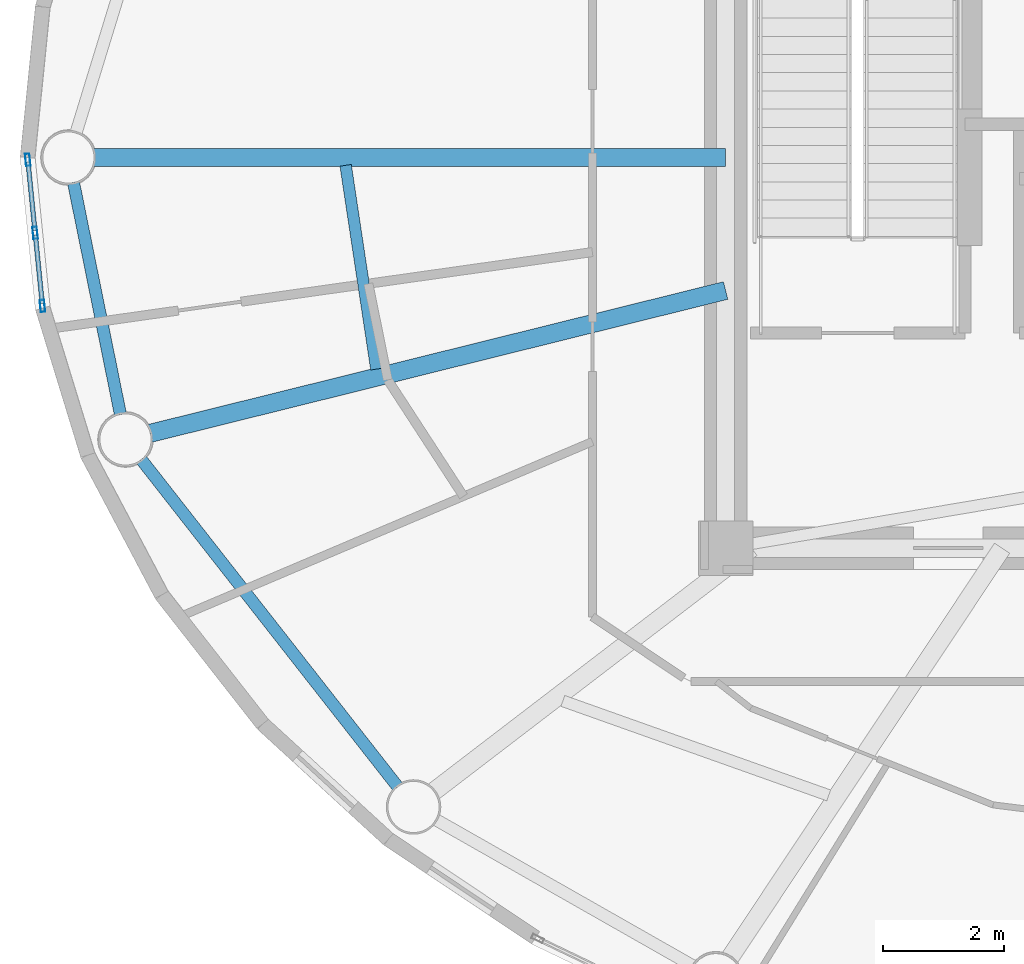
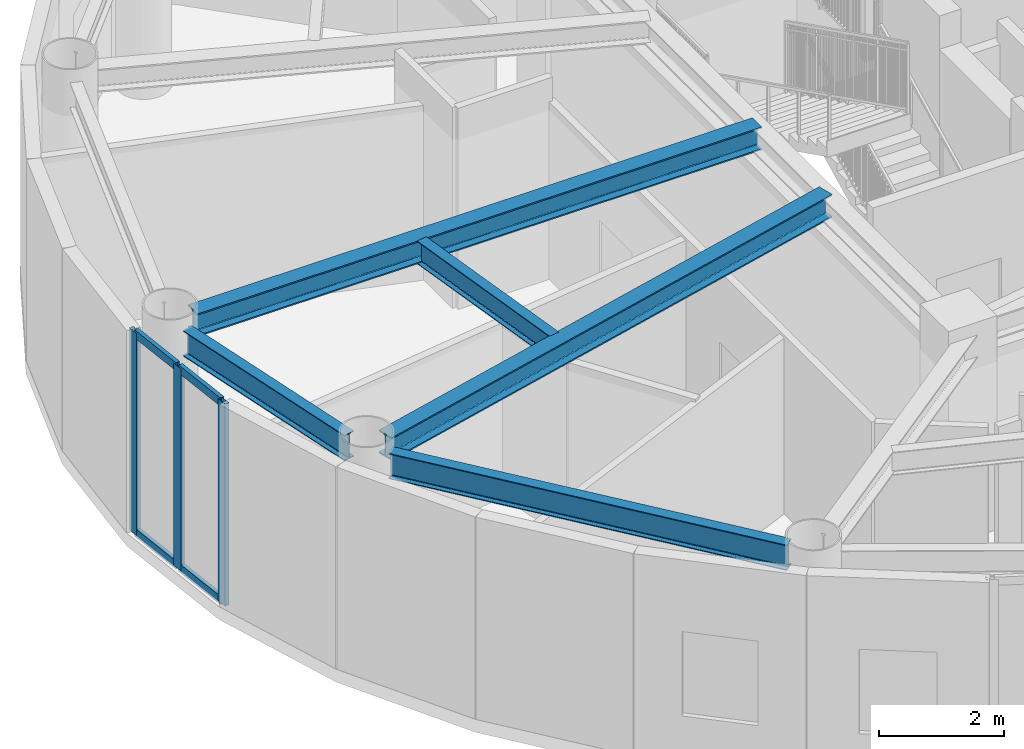
# One storey, part 4 of 24: 7 members, 5 beams, 1 element without a shape of its own.
"""IFC4 building model written with IfcOpenShell, lengths in metres."""

from ifc_helpers import new_model, si_unit, direction, frame, origin, origin_2d, place, context, subcontext, project, spatial, hollow_rectangle, i_section, extrude, source, transform, mapped, material, layer, layer_set, material_profile, profile_set, type_object, element, aggregate, save


model = new_model("IFC4")

# Units and contexts
model_context = context("Model", 3, precision=1e-05, world=origin(), true_north=direction((0.0, 1.0)))
body_context = subcontext(model_context, "Body", "Model", "MODEL_VIEW")
ifc_project = project(units=[si_unit("LENGTHUNIT", "METRE"), si_unit("AREAUNIT", "SQUARE_METRE"), si_unit("VOLUMEUNIT", "CUBIC_METRE"), si_unit("PLANEANGLEUNIT", "RADIAN"), si_unit("MASSUNIT", "GRAM", prefix="KILO")], contexts=[model_context])

# Site, building, storey
site_placement = place(None, origin())
site = spatial("IfcSite", under=ifc_project, at=site_placement, CompositionType="ELEMENT")
building_placement = place(site_placement, origin())
building = spatial("IfcBuilding", under=site, at=building_placement, Name="Linh Dai School and Residence Tower", CompositionType="ELEMENT")
storey_placement = place(building_placement, frame((0.0, 0.0, 355.199951171875)))
storey = spatial("IfcBuildingStorey", under=building, at=storey_placement, Name="L88", CompositionType="ELEMENT", Elevation=355.199951171875)

# Beams
ifc_material_1 = material(Name="Structural Steel S355JR", Category="steel")
ifc_material_profile_1 = material_profile(ifc_material_1, i_section(OverallWidth=0.199951171875, OverallDepth=0.5, WebThickness=0.01025390625, FlangeThickness=0.01611328125, FilletRadius=0.02099609375, at=origin_2d()), Name="IPE 500")
ifc_profile_set_1 = profile_set([ifc_material_profile_1], Name="Structural Steel S355JR")
beam_type_1 = type_object("IfcBeamType", Name="BM-RB50", PredefinedType="BEAM", material=ifc_profile_set_1)
beam_1_placement = place(storey_placement, frame((16.38330078125, 26.58837890625, 3.699951171875), z_axis=(0.198409502721, -0.980119211744, 0.0), x_axis=(0.980119211744, 0.198409502721, 0.0)))
element("IfcBeam", 1, at=beam_1_placement, inside=storey, type_object=beam_type_1, Name="L88 Perimeter Elliptical Ring Beam 09", PredefinedType="BEAM", context=body_context, shape_type="SweptSolid", body=[
    extrude(i_section(OverallWidth=0.199951171875, OverallDepth=0.5, WebThickness=0.01025390625, FlangeThickness=0.01611328125, FilletRadius=0.02099609375, at=origin_2d()), origin(), (0.0, 0.0, 1.0), 3.9091796875),
])
beam_2_placement = place(storey_placement, frame((17.501220703125, 22.0146484375, 3.699951171875), z_axis=(0.616844770958, -0.787084829318, 0.0), x_axis=(0.787084829318, 0.616844770958, 0.0)))
element("IfcBeam", 2, at=beam_2_placement, inside=storey, type_object=beam_type_1, Name="L88 Perimeter Elliptical Ring Beam 10", PredefinedType="BEAM", context=body_context, shape_type="SweptSolid", body=[
    extrude(i_section(OverallWidth=0.199951171875, OverallDepth=0.5, WebThickness=0.01025390625, FlangeThickness=0.01611328125, FilletRadius=0.02099609375, at=origin_2d()), origin(), (0.0, 0.0, 1.0), 6.869384765625),
])
ifc_material_profile_2 = material_profile(ifc_material_1, i_section(OverallWidth=0.300048828125, OverallDepth=0.449951171875, WebThickness=0.013916015625, FlangeThickness=0.02587890625, FilletRadius=0.027099609375, at=origin_2d()), Name="HEB 450")
ifc_profile_set_2 = profile_set([ifc_material_profile_2], Name="Structural Steel S355JR")
beam_type_2 = type_object("IfcBeamType", Name="BM-RG45", PredefinedType="BEAM", material=ifc_profile_set_2)
beam_3_placement = place(storey_placement, frame((27.14990234375, 27.0, 3.72509765625), z_axis=(-1.0, 0.0, 0.0), x_axis=(0.0, -1.0, 0.0)))
element("IfcBeam", 3, at=beam_3_placement, inside=storey, type_object=beam_type_2, Name="L88 Primary Radial Floor Girder 09", PredefinedType="BEAM", context=body_context, shape_type="SweptSolid", body=[
    extrude(i_section(OverallWidth=0.300048828125, OverallDepth=0.449951171875, WebThickness=0.013916015625, FlangeThickness=0.02587890625, FilletRadius=0.027099609375, at=origin_2d()), origin(), (0.0, 0.0, 1.0), 10.429931640625),
])
beam_4_placement = place(storey_placement, frame((27.14990234375, 24.803955078125, 3.72509765625), z_axis=(-0.970563583495, -0.24084503398, 0.0), x_axis=(0.24084503398, -0.970563583495, 0.0)))
element("IfcBeam", 4, at=beam_4_placement, inside=storey, type_object=beam_type_2, Name="L88 Primary Radial Floor Girder 10", PredefinedType="BEAM", context=body_context, shape_type="SweptSolid", body=[
    extrude(i_section(OverallWidth=0.300048828125, OverallDepth=0.449951171875, WebThickness=0.013916015625, FlangeThickness=0.02587890625, FilletRadius=0.027099609375, at=origin_2d()), origin(), (0.0, 0.0, 1.0), 9.7880859375),
])
ifc_material_profile_3 = material_profile(ifc_material_1, i_section(OverallWidth=0.18994140625, OverallDepth=0.449951171875, WebThickness=0.009521484375, FlangeThickness=0.0146484375, FilletRadius=0.02099609375, at=origin_2d()), Name="IPE 450")
ifc_profile_set_3 = profile_set([ifc_material_profile_3], Name="Structural Steel S355JR")
beam_type_3 = type_object("IfcBeamType", Name="BM-SB45", PredefinedType="BEAM", material=ifc_profile_set_3)
beam_5_placement = place(storey_placement, frame((20.87646484375, 26.871337890625, 3.72509765625), z_axis=(0.149150785005, -0.988814463553, 0.0), x_axis=(0.988814463553, 0.149150785005, 0.0)))
element("IfcBeam", 5, at=beam_5_placement, inside=storey, type_object=beam_type_3, Name="L88 Secondary Circumferential Floor Beam 05", PredefinedType="BEAM", context=body_context, shape_type="SweptSolid", body=[
    extrude(i_section(OverallWidth=0.18994140625, OverallDepth=0.449951171875, WebThickness=0.009521484375, FlangeThickness=0.0146484375, FilletRadius=0.02099609375, at=origin_2d()), origin(), (0.0, 0.0, 1.0), 3.403076171875),
])

# Curtain wall, members
ifc_material_2 = material(Name="Aluminium Anodised Curtain Wall", Category="aluminium")
ifc_layer = layer(ifc_material_2, 0.199951171875)
ifc_layer_set = layer_set([ifc_layer], Name="Aluminium Anodised Curtain Wall")
curtain_wall_type = type_object("IfcCurtainWallType", Name="CW-SYS-6", PredefinedType="USERDEFINED", material=ifc_layer_set)
curtain_wall_placement = place(storey_placement, origin())
curtain_wall = element("IfcCurtainWall", 6, at=curtain_wall_placement, inside=storey, type_object=curtain_wall_type, Name="L88 CW6 Curtain Wall 21", ObjectType="UNITISED CURTAIN WALL", PredefinedType="USERDEFINED")
ifc_material_3 = material(Name="Aluminium Alloy 6063-T6", Category="aluminium")
ifc_material_profile_4 = material_profile(ifc_material_3, hollow_rectangle(XDim=0.074951171875, YDim=0.159912109375, WallThickness=0.00390625, at=origin_2d()), Name="RHS 160x75x4")
ifc_profile_set_4 = profile_set([ifc_material_profile_4], Name="Aluminium Alloy 6063-T6")
member_type_1 = type_object("IfcMemberType", Name="CW-SYS-6-TRN", PredefinedType="USERDEFINED", material=ifc_profile_set_4)
shared_shape_1 = source(origin(), body_context, "Body", "SweptSolid", [
    extrude(hollow_rectangle(XDim=0.074951171875, YDim=0.159912109375, WallThickness=0.00390625, at=origin_2d()), origin(), (0.0, 0.0, 1.0), 1.136962890625),
])
member_1_placement = place(storey_placement, frame((15.867431640625, 24.587890625, 0.03759765625), z_axis=(-0.100056431161, 0.994981763945, 0.0), x_axis=(-0.994981763945, -0.100056431161, 0.0)))
member_1 = element("IfcMember", 7, at=member_1_placement, type_object=member_type_1, Name="CW6 transom 1.1", ObjectType="TRANSOM", PredefinedType="USERDEFINED", context=body_context, shape_type="MappedRepresentation", body=[
    mapped(shared_shape_1, transform((0.0, 0.0, 0.0), x_axis=(1.0, 0.0, 0.0), y_axis=(0.0, 1.0, 0.0), z_axis=(0.0, 0.0, 1.0), scale=1.0)),
])
member_2_placement = place(storey_placement, frame((15.867431640625, 24.587890625, 3.91259765625), z_axis=(-0.100056431161, 0.994981763945, 0.0), x_axis=(-0.994981763945, -0.100056431161, 0.0)))
member_2 = element("IfcMember", 8, at=member_2_placement, type_object=member_type_1, Name="CW6 transom 1.2", ObjectType="TRANSOM", PredefinedType="USERDEFINED", context=body_context, shape_type="MappedRepresentation", body=[
    mapped(shared_shape_1, transform((0.0, 0.0, 0.0), x_axis=(1.0, 0.0, 0.0), y_axis=(0.0, 1.0, 0.0), z_axis=(0.0, 0.0, 1.0), scale=1.0)),
])
member_3_placement = place(storey_placement, frame((15.74609375, 25.7939453125, 0.03759765625), z_axis=(-0.099843860502, 0.995003117342, 0.0), x_axis=(-0.995003117342, -0.099843860502, 0.0)))
member_3 = element("IfcMember", 9, at=member_3_placement, type_object=member_type_1, Name="CW6 transom 2.1", ObjectType="TRANSOM", PredefinedType="USERDEFINED", context=body_context, shape_type="MappedRepresentation", body=[
    mapped(shared_shape_1, transform((0.0, 0.0, 0.0), x_axis=(1.0, 0.0, 0.0), y_axis=(0.0, 1.0, 0.0), z_axis=(0.0, 0.0, 1.0), scale=1.0)),
])
member_4_placement = place(storey_placement, frame((15.74609375, 25.7939453125, 3.91259765625), z_axis=(-0.099843860502, 0.995003117342, 0.0), x_axis=(-0.995003117342, -0.099843860502, 0.0)))
member_4 = element("IfcMember", 10, at=member_4_placement, type_object=member_type_1, Name="CW6 transom 2.2", ObjectType="TRANSOM", PredefinedType="USERDEFINED", context=body_context, shape_type="MappedRepresentation", body=[
    mapped(shared_shape_1, transform((0.0, 0.0, 0.0), x_axis=(1.0, 0.0, 0.0), y_axis=(0.0, 1.0, 0.0), z_axis=(0.0, 0.0, 1.0), scale=1.0)),
])
ifc_material_profile_5 = material_profile(ifc_material_3, hollow_rectangle(XDim=0.074951171875, YDim=0.199951171875, WallThickness=0.00390625, at=origin_2d()), Name="RHS 200x75x4")
ifc_profile_set_5 = profile_set([ifc_material_profile_5], Name="Aluminium Alloy 6063-T6")
member_type_2 = type_object("IfcMemberType", Name="CW-SYS-6-MUL", PredefinedType="MULLION", material=ifc_profile_set_5)
shared_shape_2 = source(origin(), body_context, "Body", "SweptSolid", [
    extrude(hollow_rectangle(XDim=0.074951171875, YDim=0.199951171875, WallThickness=0.00390625, at=origin_2d()), origin(), (0.0, 0.0, 1.0), 3.949951171875),
])
member_5_placement = place(storey_placement, frame((15.87109375, 24.550537109375, 0.0), z_axis=(0.0, 0.0, 1.0), x_axis=(-0.994988264886, -0.099991763355, 0.0)))
member_5 = element("IfcMember", 11, at=member_5_placement, type_object=member_type_2, Name="CW6 mullion 1", PredefinedType="MULLION", context=body_context, shape_type="MappedRepresentation", body=[
    mapped(shared_shape_2, transform((0.0, 0.0, 0.0), x_axis=(1.0, 0.0, 0.0), y_axis=(0.0, 1.0, 0.0), z_axis=(0.0, 0.0, 1.0), scale=1.0)),
])
member_6_placement = place(storey_placement, frame((15.75, 25.756591796875, 0.0), z_axis=(0.0, 0.0, 1.0), x_axis=(-0.994988264886, -0.099991763355, 0.0)))
member_6 = element("IfcMember", 12, at=member_6_placement, type_object=member_type_2, Name="CW6 mullion 2", PredefinedType="MULLION", context=body_context, shape_type="MappedRepresentation", body=[
    mapped(shared_shape_2, transform((0.0, 0.0, 0.0), x_axis=(1.0, 0.0, 0.0), y_axis=(0.0, 1.0, 0.0), z_axis=(0.0, 0.0, 1.0), scale=1.0)),
])
member_7_placement = place(storey_placement, frame((15.628662109375, 26.962646484375, 0.0), z_axis=(0.0, 0.0, 1.0), x_axis=(-0.994988264886, -0.099991763355, 0.0)))
member_7 = element("IfcMember", 13, at=member_7_placement, type_object=member_type_2, Name="CW6 mullion 3", PredefinedType="MULLION", context=body_context, shape_type="MappedRepresentation", body=[
    mapped(shared_shape_2, transform((0.0, 0.0, 0.0), x_axis=(1.0, 0.0, 0.0), y_axis=(0.0, 1.0, 0.0), z_axis=(0.0, 0.0, 1.0), scale=1.0)),
])
aggregate(curtain_wall, [member_5, member_6, member_7, member_1, member_2, member_3, member_4])

save(model, "model.ifc")
